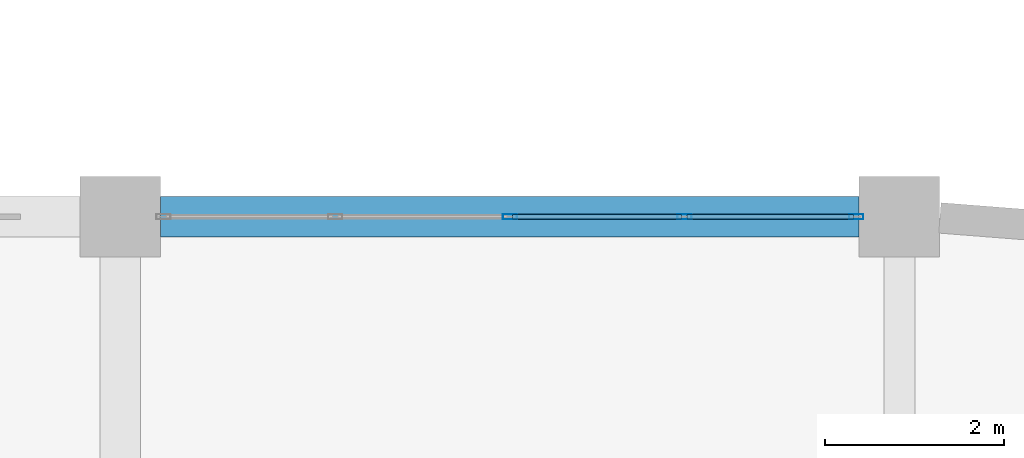
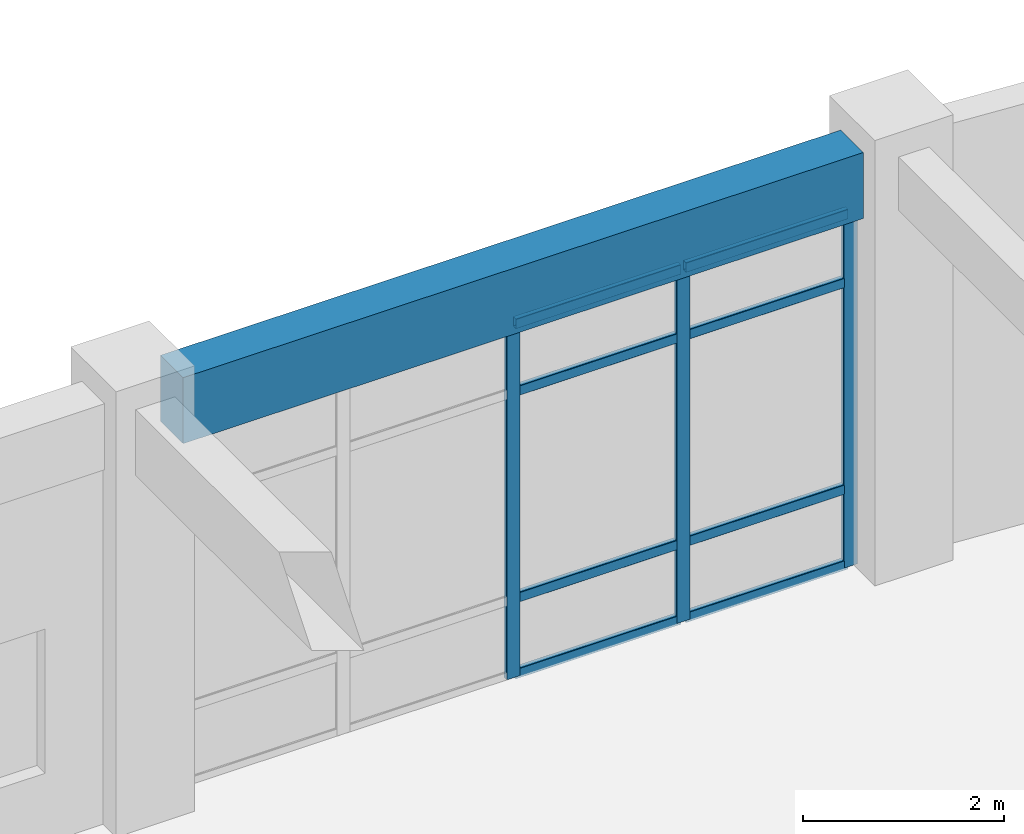
# One storey, part 68 of 114: 11 members, 1 beam, 1 element without a shape of its own.
"""IFC4 building model written with IfcOpenShell, lengths in metres."""

from ifc_helpers import new_model, si_unit, derived_unit, direction, frame, origin, origin_2d, place, context, subcontext, project, spatial, rectangle, hollow_rectangle, extrude, material, layer, layer_set, material_profile, profile_set, type_object, element, aggregate, save


model = new_model("IFC4")

# Units and contexts
model_context = context("Model", 3, precision=1e-05, world=origin(), true_north=direction((0.0, 1.0)))
body_context = subcontext(model_context, "Body", "Model", "MODEL_VIEW")
ifc_project = project(units=[si_unit("LENGTHUNIT", "METRE"), si_unit("AREAUNIT", "SQUARE_METRE"), si_unit("VOLUMEUNIT", "CUBIC_METRE"), si_unit("PLANEANGLEUNIT", "RADIAN"), si_unit("MASSUNIT", "GRAM", prefix="KILO"), derived_unit("THERMALTRANSMITTANCEUNIT", [(si_unit("MASSUNIT", "GRAM", prefix="KILO"), 1), (si_unit("TIMEUNIT", "SECOND"), -3), (si_unit("THERMODYNAMICTEMPERATUREUNIT", "KELVIN"), -1)])], contexts=[model_context])

# Site, building, storey
site_placement = place(None, origin())
site = spatial("IfcSite", under=ifc_project, at=site_placement, CompositionType="ELEMENT")
building_placement = place(site_placement, origin())
building = spatial("IfcBuilding", under=site, at=building_placement, Name="Qinzheling Arcade Emporium", CompositionType="ELEMENT")
storey_placement = place(building_placement, frame((0.0, 0.0, 6.0)))
storey = spatial("IfcBuildingStorey", under=building, at=storey_placement, Name="L02", CompositionType="ELEMENT", Elevation=6.0)

# Curtain wall, members
ifc_material_1 = material(Name="Anodised aluminium and solar-control double glazing", Category="aluminium")
ifc_layer = layer(ifc_material_1, 0.159912109375, Name="Anodised aluminium and solar-control double glazing", Category="aluminium")
ifc_layer_set = layer_set([ifc_layer], Name="Anodised aluminium and solar-control double glazing")
curtain_wall_type = type_object("IfcCurtainWallType", Name="Food Hall Loggia Curtain Wall", PredefinedType="NOTDEFINED", material=ifc_layer_set)
curtain_wall_placement = place(storey_placement, origin())
curtain_wall = element("IfcCurtainWall", 1, at=curtain_wall_placement, inside=storey, type_object=curtain_wall_type, Name="Curtain Wall CW-L02-127", PredefinedType="NOTDEFINED")
ifc_material_2 = material(Name="Anodised aluminium 6063-T6", Category="aluminium")
ifc_material_profile_1 = material_profile(ifc_material_2, hollow_rectangle(XDim=0.06005859375, YDim=0.159912109375, WallThickness=0.00390625, InnerFilletRadius=0.00390625, OuterFilletRadius=0.008056640625, at=origin_2d()), Name="RHS 160x60x4", Category="aluminium")
ifc_profile_set_1 = profile_set([ifc_material_profile_1], Name="Anodised aluminium 6063-T6")
member_type_1 = type_object("IfcMemberType", Name="Curtain Wall Mullion RHS160x60", PredefinedType="MULLION", material=ifc_profile_set_1)
member_1_placement = place(storey_placement, frame((160.949951171875, 33.60009765625, 0.0), z_axis=(0.0, 0.0, 1.0), x_axis=(0.0, 1.0, 0.0)))
member_1 = element("IfcMember", 2, at=member_1_placement, type_object=member_type_1, Name="CW04 mullion 3", PredefinedType="MULLION", context=body_context, shape_type="SweptSolid", body=[
    extrude(hollow_rectangle(XDim=0.06005859375, YDim=0.159912109375, WallThickness=0.00390625, InnerFilletRadius=0.00390625, OuterFilletRadius=0.008056640625, at=origin_2d()), origin(), (0.0, 0.0, 1.0), 4.304931640625),
])
member_2_placement = place(storey_placement, frame((162.89892578125, 33.60009765625, 0.0), z_axis=(0.0, 0.0, 1.0), x_axis=(0.0, 1.0, 0.0)))
member_2 = element("IfcMember", 3, at=member_2_placement, type_object=member_type_1, Name="CW04 mullion 4", PredefinedType="MULLION", context=body_context, shape_type="SweptSolid", body=[
    extrude(hollow_rectangle(XDim=0.06005859375, YDim=0.159912109375, WallThickness=0.00390625, InnerFilletRadius=0.00390625, OuterFilletRadius=0.008056640625, at=origin_2d()), origin(), (0.0, 0.0, 1.0), 4.304931640625),
])
member_3_placement = place(storey_placement, frame((164.818115234375, 33.60009765625, 0.0), z_axis=(0.0, 0.0, 1.0), x_axis=(0.0, 1.0, 0.0)))
member_3 = element("IfcMember", 4, at=member_3_placement, type_object=member_type_1, Name="CW04 mullion 5", PredefinedType="MULLION", context=body_context, shape_type="SweptSolid", body=[
    extrude(hollow_rectangle(XDim=0.06005859375, YDim=0.159912109375, WallThickness=0.00390625, InnerFilletRadius=0.00390625, OuterFilletRadius=0.008056640625, at=origin_2d()), origin(), (0.0, 0.0, 1.0), 4.304931640625),
])
ifc_material_profile_2 = material_profile(ifc_material_2, hollow_rectangle(XDim=0.06005859375, YDim=0.1201171875, WallThickness=0.00390625, InnerFilletRadius=0.00390625, OuterFilletRadius=0.008056640625, at=origin_2d()), Name="RHS 120x60x4", Category="aluminium")
ifc_profile_set_2 = profile_set([ifc_material_profile_2], Name="Anodised aluminium 6063-T6")
member_type_2 = type_object("IfcMemberType", Name="Curtain Wall Transom RHS120x60", PredefinedType="USERDEFINED", material=ifc_profile_set_2)
member_4_placement = place(storey_placement, frame((160.97998046875, 33.60009765625, 0.030029296875), z_axis=(1.0, 0.0, 0.0), x_axis=(0.0, 1.0, 0.0)))
member_4 = element("IfcMember", 5, at=member_4_placement, type_object=member_type_2, Name="CW04 transom 3.1", ObjectType="TRANSOM", PredefinedType="USERDEFINED", context=body_context, shape_type="SweptSolid", body=[
    extrude(hollow_rectangle(XDim=0.06005859375, YDim=0.1201171875, WallThickness=0.00390625, InnerFilletRadius=0.00390625, OuterFilletRadius=0.008056640625, at=origin_2d()), origin(), (0.0, 0.0, 1.0), 1.888916015625),
])
member_5_placement = place(storey_placement, frame((160.97998046875, 33.60009765625, 0.949951171875), z_axis=(1.0, 0.0, 0.0), x_axis=(0.0, 1.0, 0.0)))
member_5 = element("IfcMember", 6, at=member_5_placement, type_object=member_type_2, Name="CW04 transom 3.2", ObjectType="TRANSOM", PredefinedType="USERDEFINED", context=body_context, shape_type="SweptSolid", body=[
    extrude(hollow_rectangle(XDim=0.06005859375, YDim=0.1201171875, WallThickness=0.00390625, InnerFilletRadius=0.00390625, OuterFilletRadius=0.008056640625, at=origin_2d()), origin(), (0.0, 0.0, 1.0), 1.888916015625),
])
member_6_placement = place(storey_placement, frame((160.97998046875, 33.60009765625, 3.455078125), z_axis=(1.0, 0.0, 0.0), x_axis=(0.0, 1.0, 0.0)))
member_6 = element("IfcMember", 7, at=member_6_placement, type_object=member_type_2, Name="CW04 transom 3.3", ObjectType="TRANSOM", PredefinedType="USERDEFINED", context=body_context, shape_type="SweptSolid", body=[
    extrude(hollow_rectangle(XDim=0.06005859375, YDim=0.1201171875, WallThickness=0.00390625, InnerFilletRadius=0.00390625, OuterFilletRadius=0.008056640625, at=origin_2d()), origin(), (0.0, 0.0, 1.0), 1.888916015625),
])
member_7_placement = place(storey_placement, frame((160.97998046875, 33.60009765625, 4.27490234375), z_axis=(1.0, 0.0, 0.0), x_axis=(0.0, 1.0, 0.0)))
member_7 = element("IfcMember", 8, at=member_7_placement, type_object=member_type_2, Name="CW04 transom 3.4", ObjectType="TRANSOM", PredefinedType="USERDEFINED", context=body_context, shape_type="SweptSolid", body=[
    extrude(hollow_rectangle(XDim=0.06005859375, YDim=0.1201171875, WallThickness=0.00390625, InnerFilletRadius=0.00390625, OuterFilletRadius=0.008056640625, at=origin_2d()), origin(), (0.0, 0.0, 1.0), 1.888916015625),
])
member_8_placement = place(storey_placement, frame((162.928955078125, 33.60009765625, 0.030029296875), z_axis=(1.0, 0.0, 0.0), x_axis=(0.0, 1.0, 0.0)))
member_8 = element("IfcMember", 9, at=member_8_placement, type_object=member_type_2, Name="CW04 transom 4.1", ObjectType="TRANSOM", PredefinedType="USERDEFINED", context=body_context, shape_type="SweptSolid", body=[
    extrude(hollow_rectangle(XDim=0.06005859375, YDim=0.1201171875, WallThickness=0.00390625, InnerFilletRadius=0.00390625, OuterFilletRadius=0.008056640625, at=origin_2d()), origin(), (0.0, 0.0, 1.0), 1.859130859375),
])
member_9_placement = place(storey_placement, frame((162.928955078125, 33.60009765625, 0.949951171875), z_axis=(1.0, 0.0, 0.0), x_axis=(0.0, 1.0, 0.0)))
member_9 = element("IfcMember", 10, at=member_9_placement, type_object=member_type_2, Name="CW04 transom 4.2", ObjectType="TRANSOM", PredefinedType="USERDEFINED", context=body_context, shape_type="SweptSolid", body=[
    extrude(hollow_rectangle(XDim=0.06005859375, YDim=0.1201171875, WallThickness=0.00390625, InnerFilletRadius=0.00390625, OuterFilletRadius=0.008056640625, at=origin_2d()), origin(), (0.0, 0.0, 1.0), 1.859130859375),
])
member_10_placement = place(storey_placement, frame((162.928955078125, 33.60009765625, 3.455078125), z_axis=(1.0, 0.0, 0.0), x_axis=(0.0, 1.0, 0.0)))
member_10 = element("IfcMember", 11, at=member_10_placement, type_object=member_type_2, Name="CW04 transom 4.3", ObjectType="TRANSOM", PredefinedType="USERDEFINED", context=body_context, shape_type="SweptSolid", body=[
    extrude(hollow_rectangle(XDim=0.06005859375, YDim=0.1201171875, WallThickness=0.00390625, InnerFilletRadius=0.00390625, OuterFilletRadius=0.008056640625, at=origin_2d()), origin(), (0.0, 0.0, 1.0), 1.859130859375),
])
member_11_placement = place(storey_placement, frame((162.928955078125, 33.60009765625, 4.27490234375), z_axis=(1.0, 0.0, 0.0), x_axis=(0.0, 1.0, 0.0)))
member_11 = element("IfcMember", 12, at=member_11_placement, type_object=member_type_2, Name="CW04 transom 4.4", ObjectType="TRANSOM", PredefinedType="USERDEFINED", context=body_context, shape_type="SweptSolid", body=[
    extrude(hollow_rectangle(XDim=0.06005859375, YDim=0.1201171875, WallThickness=0.00390625, InnerFilletRadius=0.00390625, OuterFilletRadius=0.008056640625, at=origin_2d()), origin(), (0.0, 0.0, 1.0), 1.859130859375),
])
aggregate(curtain_wall, [member_1, member_2, member_3, member_4, member_5, member_6, member_7, member_8, member_9, member_10, member_11])

# Beam
ifc_material_3 = material(Name="Concrete C40", Category="concrete")
ifc_material_profile_3 = material_profile(ifc_material_3, rectangle(XDim=0.449951171875, YDim=0.800048828125, at=origin_2d()), Name="RC 450x800", Category="concrete")
ifc_profile_set_3 = profile_set([ifc_material_profile_3], Name="Concrete C40")
beam_type = type_object("IfcBeamType", Name="RC Primary Frame Beam 450x800 C40", PredefinedType="BEAM", material=ifc_profile_set_3)
beam_placement = place(storey_placement, frame((157.050048828125, 33.60009765625, 4.719970703125), z_axis=(1.0, 0.0, 0.0), x_axis=(0.0, 1.0, 0.0)))
element("IfcBeam", 13, at=beam_placement, inside=storey, type_object=beam_type, Name="Beam BM-L02-X-E-19", PredefinedType="BEAM", context=body_context, shape_type="SweptSolid", body=[
    extrude(rectangle(XDim=0.449951171875, YDim=0.800048828125, at=origin_2d()), origin(), (0.0, 0.0, 1.0), 7.800048828125),
])

save(model, "model.ifc")
